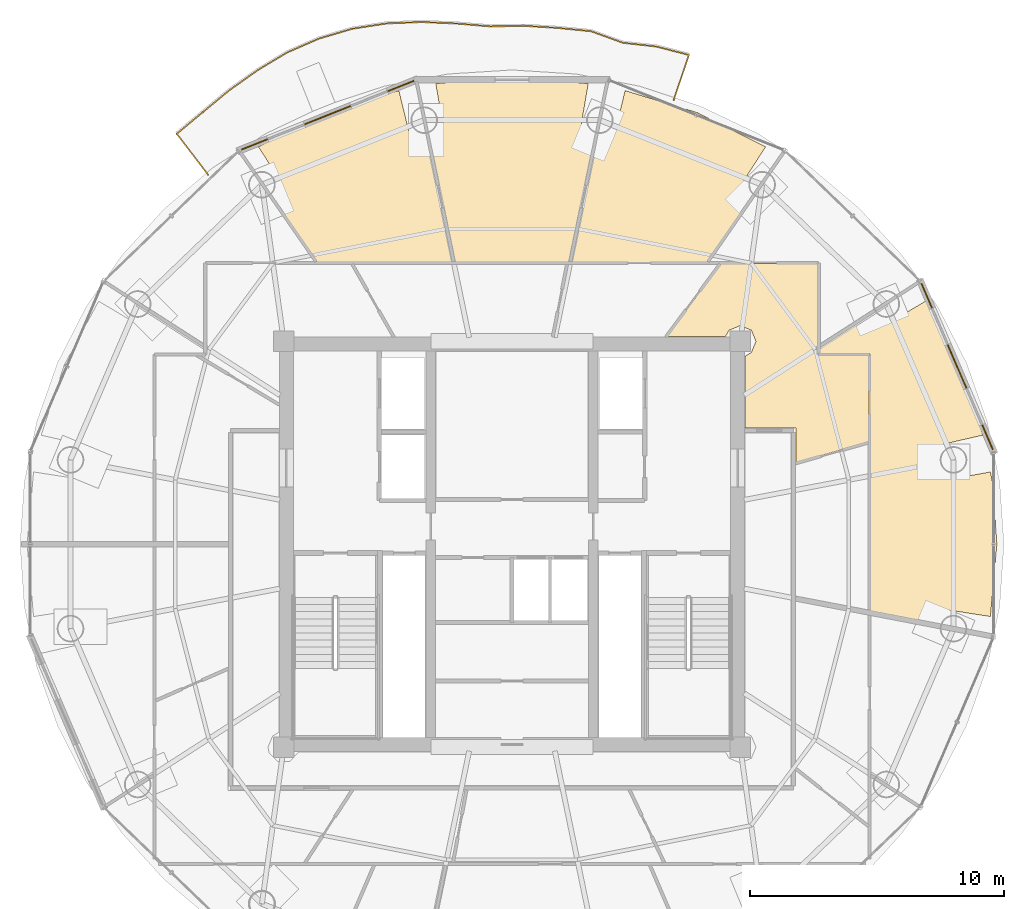
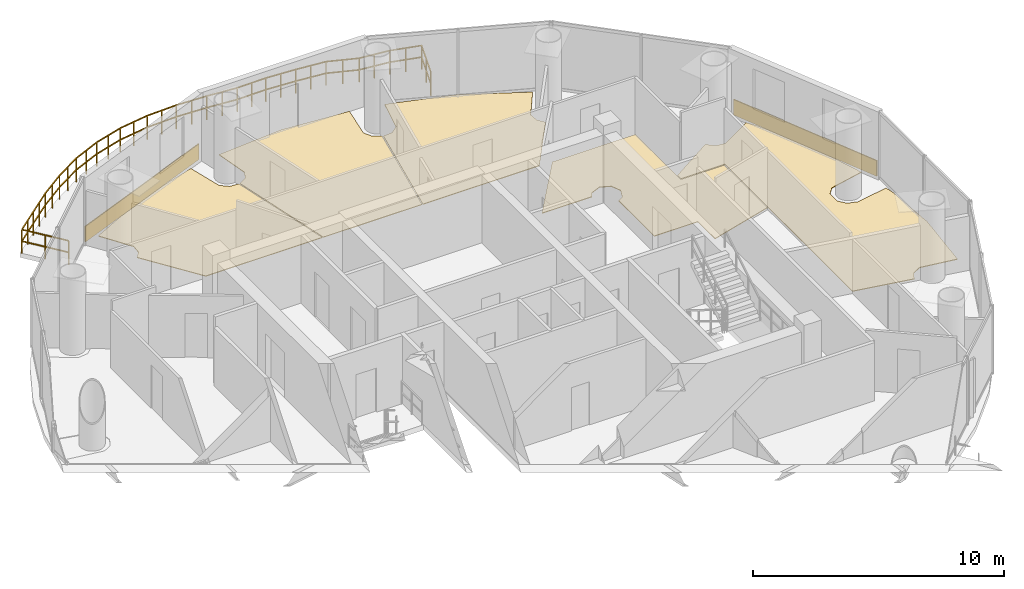
# One storey, part 23 of 23: 7 coverings, 1 railing.
"""IFC4 building model written with IfcOpenShell, lengths in metres."""

from ifc_helpers import new_model, si_unit, direction, frame, origin, origin_2d, place, context, subcontext, project, spatial, polyline, rectangle, outline, extrude, source, transform, mapped, material, layer, layer_set, type_object, element, save


model = new_model("IFC4")

# Units and contexts
model_context = context("Model", 3, precision=1e-05, world=origin(), true_north=direction((-0.2419218956, 0.970295726276)))
body_context = subcontext(model_context, "Body", "Model", "MODEL_VIEW")
ifc_project = project(units=[si_unit("LENGTHUNIT", "METRE"), si_unit("AREAUNIT", "SQUARE_METRE"), si_unit("VOLUMEUNIT", "CUBIC_METRE"), si_unit("PLANEANGLEUNIT", "RADIAN"), si_unit("MASSUNIT", "GRAM", prefix="KILO")], contexts=[model_context])

# Site, building, storey
site_placement = place(None, origin())
site = spatial("IfcSite", under=ifc_project, at=site_placement, CompositionType="ELEMENT")
building_placement = place(site_placement, origin())
building = spatial("IfcBuilding", under=site, at=building_placement, Name="Cobrevalo Terracotta Tower", CompositionType="ELEMENT")
storey_placement = place(building_placement, frame((0.0, 0.0, 296.949951171875)))
storey = spatial("IfcBuildingStorey", under=building, at=storey_placement, Name="L78", CompositionType="ELEMENT", Elevation=296.949951171875)

# Railing
ifc_material_1 = material(Name="Laminated structural glass and stainless steel", Category="steel")
railing_type = type_object("IfcRailingType", Name="Balcony lobe structural glass & terracotta-cap balustrade 1180 mm", PredefinedType="BALUSTRADE", material=ifc_material_1)
railing_placement = place(storey_placement, frame((44.37890625, 44.323974609375, 0.0)))
element("IfcRailing", 1, at=railing_placement, inside=storey, type_object=railing_type, Name="L78 spiralling balcony lobe balustrade 1", PredefinedType="BALUSTRADE", context=body_context, shape_type="SweptSolid", body=[
    extrude(rectangle(XDim=0.048095703125, YDim=0.048095703125, at=origin_2d()), frame((0.0, 0.0, 1.15576171875), z_axis=(0.320500509252, 0.947248343134, 0.0), x_axis=(-0.947248343134, 0.320500509252, 0.0)), (0.0, 0.0, 1.0), 1.866943359375),
    extrude(rectangle(XDim=0.048095703125, YDim=0.048095703125, at=origin_2d()), frame((0.0, 0.0, 0.58984375), z_axis=(0.320500509252, 0.947248343134, 0.0), x_axis=(-0.947248343134, 0.320500509252, 0.0)), (0.0, 0.0, 1.0), 1.866943359375),
    extrude(rectangle(XDim=0.048095703125, YDim=0.048095703125, at=origin_2d()), frame((0.598388671875, 1.7685546875, 1.15576171875), z_axis=(-0.968112979066, 0.250513991153, 0.0), x_axis=(-0.250513991153, -0.968112979066, 0.0)), (0.0, 0.0, 1.0), 1.323486328125),
    extrude(rectangle(XDim=0.048095703125, YDim=0.048095703125, at=origin_2d()), frame((0.598388671875, 1.7685546875, 0.58984375), z_axis=(-0.968112979066, 0.250513991153, 0.0), x_axis=(-0.250513991153, -0.968112979066, 0.0)), (0.0, 0.0, 1.0), 1.323486328125),
    extrude(rectangle(XDim=0.048095703125, YDim=0.048095703125, at=origin_2d()), frame((-0.682861328125, 2.10009765625, 1.15576171875), z_axis=(-0.993777759576, 0.111381167941, 0.0), x_axis=(-0.111381167941, -0.993777759576, 0.0)), (0.0, 0.0, 1.0), 1.326171875),
    extrude(rectangle(XDim=0.048095703125, YDim=0.048095703125, at=origin_2d()), frame((-0.682861328125, 2.10009765625, 0.58984375), z_axis=(-0.993777759576, 0.111381167941, 0.0), x_axis=(-0.111381167941, -0.993777759576, 0.0)), (0.0, 0.0, 1.0), 1.326171875),
    extrude(rectangle(XDim=0.048095703125, YDim=0.048095703125, at=origin_2d()), frame((-2.000732421875, 2.247802734375, 1.15576171875), z_axis=(-0.940265849956, 0.340441083605, 0.0), x_axis=(-0.340441083605, -0.940265849956, 0.0)), (0.0, 0.0, 1.0), 1.34033203125),
    extrude(rectangle(XDim=0.048095703125, YDim=0.048095703125, at=origin_2d()), frame((-2.000732421875, 2.247802734375, 0.58984375), z_axis=(-0.940265849956, 0.340441083605, 0.0), x_axis=(-0.340441083605, -0.940265849956, 0.0)), (0.0, 0.0, 1.0), 1.34033203125),
    extrude(rectangle(XDim=0.048095703125, YDim=0.048095703125, at=origin_2d()), frame((-3.260986328125, 2.7041015625, 1.15576171875), z_axis=(-0.995062681065, 0.099248479847, 0.0), x_axis=(-0.099248479847, -0.995062681065, 0.0)), (0.0, 0.0, 1.0), 1.325927734375),
    extrude(rectangle(XDim=0.048095703125, YDim=0.048095703125, at=origin_2d()), frame((-3.260986328125, 2.7041015625, 0.58984375), z_axis=(-0.995062681065, 0.099248479847, 0.0), x_axis=(-0.099248479847, -0.995062681065, 0.0)), (0.0, 0.0, 1.0), 1.325927734375),
    extrude(rectangle(XDim=0.048095703125, YDim=0.048095703125, at=origin_2d()), frame((-4.580322265625, 2.835693359375, 1.15576171875), z_axis=(-0.998068281125, 0.06212653389, 0.0), x_axis=(-0.06212653389, -0.998068281125, 0.0)), (0.0, 0.0, 1.0), 1.328369140625),
    extrude(rectangle(XDim=0.048095703125, YDim=0.048095703125, at=origin_2d()), frame((-4.580322265625, 2.835693359375, 0.58984375), z_axis=(-0.998068281125, 0.06212653389, 0.0), x_axis=(-0.06212653389, -0.998068281125, 0.0)), (0.0, 0.0, 1.0), 1.328369140625),
    extrude(rectangle(XDim=0.048095703125, YDim=0.048095703125, at=origin_2d()), frame((-5.906005859375, 2.918212890625, 1.15576171875), z_axis=(-0.99985019426, -0.017308640564, 0.0), x_axis=(0.017308640564, -0.99985019426, 0.0)), (0.0, 0.0, 1.0), 1.325927734375),
    extrude(rectangle(XDim=0.048095703125, YDim=0.048095703125, at=origin_2d()), frame((-5.906005859375, 2.918212890625, 0.58984375), z_axis=(-0.99985019426, -0.017308640564, 0.0), x_axis=(0.017308640564, -0.99985019426, 0.0)), (0.0, 0.0, 1.0), 1.325927734375),
    extrude(rectangle(XDim=0.048095703125, YDim=0.048095703125, at=origin_2d()), frame((-7.231689453125, 2.895263671875, 1.15576171875), z_axis=(-0.996398332235, 0.084796011217, 0.0), x_axis=(-0.084796011217, -0.996398332235, 0.0)), (0.0, 0.0, 1.0), 1.350341796875),
    extrude(rectangle(XDim=0.048095703125, YDim=0.048095703125, at=origin_2d()), frame((-7.231689453125, 2.895263671875, 0.58984375), z_axis=(-0.996398332235, 0.084796011217, 0.0), x_axis=(-0.084796011217, -0.996398332235, 0.0)), (0.0, 0.0, 1.0), 1.350341796875),
    extrude(rectangle(XDim=0.048095703125, YDim=0.048095703125, at=origin_2d()), frame((-8.5771484375, 3.009765625, 1.15576171875), z_axis=(-0.999077969769, 0.04293262538, 0.0), x_axis=(-0.04293262538, -0.999077969769, 0.0)), (0.0, 0.0, 1.0), 1.36474609375),
    extrude(rectangle(XDim=0.048095703125, YDim=0.048095703125, at=origin_2d()), frame((-8.5771484375, 3.009765625, 0.58984375), z_axis=(-0.999077969769, 0.04293262538, 0.0), x_axis=(-0.04293262538, -0.999077969769, 0.0)), (0.0, 0.0, 1.0), 1.36474609375),
    extrude(rectangle(XDim=0.048095703125, YDim=0.048095703125, at=origin_2d()), frame((-9.940673828125, 3.068359375, 1.15576171875), z_axis=(-0.999202658585, -0.039925519123, 0.0), x_axis=(0.039925519123, -0.999202658585, 0.0)), (0.0, 0.0, 1.0), 1.375732421875),
    extrude(rectangle(XDim=0.048095703125, YDim=0.048095703125, at=origin_2d()), frame((-9.940673828125, 3.068359375, 0.58984375), z_axis=(-0.999202658585, -0.039925519123, 0.0), x_axis=(0.039925519123, -0.999202658585, 0.0)), (0.0, 0.0, 1.0), 1.375732421875),
    extrude(rectangle(XDim=0.048095703125, YDim=0.048095703125, at=origin_2d()), frame((-11.3154296875, 3.013427734375, 1.15576171875), z_axis=(-0.988163219932, -0.153406162763, 0.0), x_axis=(0.153406162763, -0.988163219932, 0.0)), (0.0, 0.0, 1.0), 1.37353515625),
    extrude(rectangle(XDim=0.048095703125, YDim=0.048095703125, at=origin_2d()), frame((-11.3154296875, 3.013427734375, 0.58984375), z_axis=(-0.988163219932, -0.153406162763, 0.0), x_axis=(0.153406162763, -0.988163219932, 0.0)), (0.0, 0.0, 1.0), 1.37353515625),
    extrude(rectangle(XDim=0.048095703125, YDim=0.048095703125, at=origin_2d()), frame((-12.672607421875, 2.802734375, 1.15576171875), z_axis=(-0.958996855292, -0.283416710059, 0.0), x_axis=(0.283416710059, -0.958996855292, 0.0)), (0.0, 0.0, 1.0), 1.3740234375),
    extrude(rectangle(XDim=0.048095703125, YDim=0.048095703125, at=origin_2d()), frame((-12.672607421875, 2.802734375, 0.58984375), z_axis=(-0.958996855292, -0.283416710059, 0.0), x_axis=(0.283416710059, -0.958996855292, 0.0)), (0.0, 0.0, 1.0), 1.3740234375),
    extrude(rectangle(XDim=0.048095703125, YDim=0.048095703125, at=origin_2d()), frame((-13.990234375, 2.413330078125, 1.15576171875), z_axis=(-0.916900010558, -0.399116988661, 0.0), x_axis=(0.399116988661, -0.916900010558, 0.0)), (0.0, 0.0, 1.0), 1.3701171875),
    extrude(rectangle(XDim=0.048095703125, YDim=0.048095703125, at=origin_2d()), frame((-13.990234375, 2.413330078125, 0.58984375), z_axis=(-0.916900010558, -0.399116988661, 0.0), x_axis=(0.399116988661, -0.916900010558, 0.0)), (0.0, 0.0, 1.0), 1.3701171875),
    extrude(rectangle(XDim=0.048095703125, YDim=0.048095703125, at=origin_2d()), frame((-15.24658203125, 1.866455078125, 1.15576171875), z_axis=(-0.856895522787, -0.515490119234, 0.0), x_axis=(0.515490119234, -0.856895522787, 0.0)), (0.0, 0.0, 1.0), 1.37158203125),
    extrude(rectangle(XDim=0.048095703125, YDim=0.048095703125, at=origin_2d()), frame((-15.24658203125, 1.866455078125, 0.58984375), z_axis=(-0.856895522787, -0.515490119234, 0.0), x_axis=(0.515490119234, -0.856895522787, 0.0)), (0.0, 0.0, 1.0), 1.37158203125),
    extrude(rectangle(XDim=0.048095703125, YDim=0.048095703125, at=origin_2d()), frame((-16.421875, 1.159423828125, 1.15576171875), z_axis=(-0.815378750342, -0.578927882806, 0.0), x_axis=(0.578927882806, -0.815378750342, 0.0)), (0.0, 0.0, 1.0), 1.36083984375),
    extrude(rectangle(XDim=0.048095703125, YDim=0.048095703125, at=origin_2d()), frame((-16.421875, 1.159423828125, 0.58984375), z_axis=(-0.815378750342, -0.578927882806, 0.0), x_axis=(0.578927882806, -0.815378750342, 0.0)), (0.0, 0.0, 1.0), 1.36083984375),
    extrude(rectangle(XDim=0.048095703125, YDim=0.048095703125, at=origin_2d()), frame((-17.531494140625, 0.37158203125, 1.15576171875), z_axis=(-0.771011872794, -0.636820769143, 0.0), x_axis=(0.636820769143, -0.771011872794, 0.0)), (0.0, 0.0, 1.0), 1.351806640625),
    extrude(rectangle(XDim=0.048095703125, YDim=0.048095703125, at=origin_2d()), frame((-17.531494140625, 0.37158203125, 0.58984375), z_axis=(-0.771011872794, -0.636820769143, 0.0), x_axis=(0.636820769143, -0.771011872794, 0.0)), (0.0, 0.0, 1.0), 1.351806640625),
    extrude(rectangle(XDim=0.048095703125, YDim=0.048095703125, at=origin_2d()), frame((-18.57373046875, -0.4892578125, 1.15576171875), z_axis=(-0.768671775089, -0.639643417993, 0.0), x_axis=(0.639643417993, -0.768671775089, 0.0)), (0.0, 0.0, 1.0), 1.33203125),
    extrude(rectangle(XDim=0.048095703125, YDim=0.048095703125, at=origin_2d()), frame((-18.57373046875, -0.4892578125, 0.58984375), z_axis=(-0.768671775089, -0.639643417993, 0.0), x_axis=(0.639643417993, -0.768671775089, 0.0)), (0.0, 0.0, 1.0), 1.33203125),
    extrude(rectangle(XDim=0.048095703125, YDim=0.048095703125, at=origin_2d()), frame((-19.59765625, -1.34130859375, 1.15576171875), z_axis=(0.607418867432, -0.794381721521, 0.0), x_axis=(0.794381721521, 0.607418867432, 0.0)), (0.0, 0.0, 1.0), 2.030517578125),
    extrude(rectangle(XDim=0.048095703125, YDim=0.048095703125, at=origin_2d()), frame((-19.59765625, -1.34130859375, 0.58984375), z_axis=(0.607418867432, -0.794381721521, 0.0), x_axis=(0.794381721521, 0.607418867432, 0.0)), (0.0, 0.0, 1.0), 2.030517578125),
    extrude(rectangle(XDim=0.0419921875, YDim=0.0419921875, at=origin_2d()), origin(), (0.0, 0.0, 1.0), 1.1318359375),
    extrude(rectangle(XDim=0.0419921875, YDim=0.0419921875, at=origin_2d()), frame((0.29931640625, 0.88427734375, 0.0)), (0.0, 0.0, 1.0), 1.1318359375),
    extrude(rectangle(XDim=0.0419921875, YDim=0.0419921875, at=origin_2d()), frame((0.598388671875, 1.7685546875, 0.0)), (0.0, 0.0, 1.0), 1.1318359375),
    extrude(rectangle(XDim=0.0419921875, YDim=0.0419921875, at=origin_2d()), frame((-0.042236328125, 1.934326171875, 0.0)), (0.0, 0.0, 1.0), 1.1318359375),
    extrude(rectangle(XDim=0.0419921875, YDim=0.0419921875, at=origin_2d()), frame((-0.682861328125, 2.10009765625, 0.0)), (0.0, 0.0, 1.0), 1.1318359375),
    extrude(rectangle(XDim=0.0419921875, YDim=0.0419921875, at=origin_2d()), frame((-1.341796875, 2.173828125, 0.0)), (0.0, 0.0, 1.0), 1.1318359375),
    extrude(rectangle(XDim=0.0419921875, YDim=0.0419921875, at=origin_2d()), frame((-2.000732421875, 2.247802734375, 0.0)), (0.0, 0.0, 1.0), 1.1318359375),
    extrude(rectangle(XDim=0.0419921875, YDim=0.0419921875, at=origin_2d()), frame((-2.630859375, 2.47607421875, 0.0)), (0.0, 0.0, 1.0), 1.1318359375),
    extrude(rectangle(XDim=0.0419921875, YDim=0.0419921875, at=origin_2d()), frame((-3.260986328125, 2.7041015625, 0.0)), (0.0, 0.0, 1.0), 1.1318359375),
    extrude(rectangle(XDim=0.0419921875, YDim=0.0419921875, at=origin_2d()), frame((-3.920654296875, 2.77001953125, 0.0)), (0.0, 0.0, 1.0), 1.1318359375),
    extrude(rectangle(XDim=0.0419921875, YDim=0.0419921875, at=origin_2d()), frame((-4.580322265625, 2.835693359375, 0.0)), (0.0, 0.0, 1.0), 1.1318359375),
    extrude(rectangle(XDim=0.0419921875, YDim=0.0419921875, at=origin_2d()), frame((-5.2431640625, 2.876953125, 0.0)), (0.0, 0.0, 1.0), 1.1318359375),
    extrude(rectangle(XDim=0.0419921875, YDim=0.0419921875, at=origin_2d()), frame((-5.906005859375, 2.918212890625, 0.0)), (0.0, 0.0, 1.0), 1.1318359375),
    extrude(rectangle(XDim=0.0419921875, YDim=0.0419921875, at=origin_2d()), frame((-6.56884765625, 2.90673828125, 0.0)), (0.0, 0.0, 1.0), 1.1318359375),
    extrude(rectangle(XDim=0.0419921875, YDim=0.0419921875, at=origin_2d()), frame((-7.231689453125, 2.895263671875, 0.0)), (0.0, 0.0, 1.0), 1.1318359375),
    extrude(rectangle(XDim=0.0419921875, YDim=0.0419921875, at=origin_2d()), frame((-7.904296875, 2.95263671875, 0.0)), (0.0, 0.0, 1.0), 1.1318359375),
    extrude(rectangle(XDim=0.0419921875, YDim=0.0419921875, at=origin_2d()), frame((-8.5771484375, 3.009765625, 0.0)), (0.0, 0.0, 1.0), 1.1318359375),
    extrude(rectangle(XDim=0.0419921875, YDim=0.0419921875, at=origin_2d()), frame((-9.2587890625, 3.0390625, 0.0)), (0.0, 0.0, 1.0), 1.1318359375),
    extrude(rectangle(XDim=0.0419921875, YDim=0.0419921875, at=origin_2d()), frame((-9.940673828125, 3.068359375, 0.0)), (0.0, 0.0, 1.0), 1.1318359375),
    extrude(rectangle(XDim=0.0419921875, YDim=0.0419921875, at=origin_2d()), frame((-10.6279296875, 3.041015625, 0.0)), (0.0, 0.0, 1.0), 1.1318359375),
    extrude(rectangle(XDim=0.0419921875, YDim=0.0419921875, at=origin_2d()), frame((-11.3154296875, 3.013427734375, 0.0)), (0.0, 0.0, 1.0), 1.1318359375),
    extrude(rectangle(XDim=0.0419921875, YDim=0.0419921875, at=origin_2d()), frame((-11.994140625, 2.908203125, 0.0)), (0.0, 0.0, 1.0), 1.1318359375),
    extrude(rectangle(XDim=0.0419921875, YDim=0.0419921875, at=origin_2d()), frame((-12.672607421875, 2.802734375, 0.0)), (0.0, 0.0, 1.0), 1.1318359375),
    extrude(rectangle(XDim=0.0419921875, YDim=0.0419921875, at=origin_2d()), frame((-13.33154296875, 2.60791015625, 0.0)), (0.0, 0.0, 1.0), 1.1318359375),
    extrude(rectangle(XDim=0.0419921875, YDim=0.0419921875, at=origin_2d()), frame((-13.990234375, 2.413330078125, 0.0)), (0.0, 0.0, 1.0), 1.1318359375),
    extrude(rectangle(XDim=0.0419921875, YDim=0.0419921875, at=origin_2d()), frame((-14.618408203125, 2.139892578125, 0.0)), (0.0, 0.0, 1.0), 1.1318359375),
    extrude(rectangle(XDim=0.0419921875, YDim=0.0419921875, at=origin_2d()), frame((-15.24658203125, 1.866455078125, 0.0)), (0.0, 0.0, 1.0), 1.1318359375),
    extrude(rectangle(XDim=0.0419921875, YDim=0.0419921875, at=origin_2d()), frame((-15.834228515625, 1.512939453125, 0.0)), (0.0, 0.0, 1.0), 1.1318359375),
    extrude(rectangle(XDim=0.0419921875, YDim=0.0419921875, at=origin_2d()), frame((-16.421875, 1.159423828125, 0.0)), (0.0, 0.0, 1.0), 1.1318359375),
    extrude(rectangle(XDim=0.0419921875, YDim=0.0419921875, at=origin_2d()), frame((-16.9765625, 0.765625, 0.0)), (0.0, 0.0, 1.0), 1.1318359375),
    extrude(rectangle(XDim=0.0419921875, YDim=0.0419921875, at=origin_2d()), frame((-17.531494140625, 0.37158203125, 0.0)), (0.0, 0.0, 1.0), 1.1318359375),
    extrude(rectangle(XDim=0.0419921875, YDim=0.0419921875, at=origin_2d()), frame((-18.052734375, -0.058837890625, 0.0)), (0.0, 0.0, 1.0), 1.1318359375),
    extrude(rectangle(XDim=0.0419921875, YDim=0.0419921875, at=origin_2d()), frame((-18.57373046875, -0.4892578125, 0.0)), (0.0, 0.0, 1.0), 1.1318359375),
    extrude(rectangle(XDim=0.0419921875, YDim=0.0419921875, at=origin_2d()), frame((-19.085693359375, -0.915283203125, 0.0)), (0.0, 0.0, 1.0), 1.1318359375),
    extrude(rectangle(XDim=0.0419921875, YDim=0.0419921875, at=origin_2d()), frame((-19.59765625, -1.34130859375, 0.0)), (0.0, 0.0, 1.0), 1.1318359375),
    extrude(rectangle(XDim=0.0419921875, YDim=0.0419921875, at=origin_2d()), frame((-18.98095703125, -2.14794921875, 0.0)), (0.0, 0.0, 1.0), 1.1318359375),
    extrude(rectangle(XDim=0.0419921875, YDim=0.0419921875, at=origin_2d()), frame((-18.3642578125, -2.954345703125, 0.0)), (0.0, 0.0, 1.0), 1.1318359375),
])

# Coverings
ifc_material_2 = material(Name="Engineered Brazilian hardwood flooring", Category="wood")
ifc_layer_1 = layer(ifc_material_2, 0.028076171875)
ifc_layer_set_1 = layer_set([ifc_layer_1], Name="Engineered Brazilian hardwood flooring")
covering_type_1 = type_object("IfcCoveringType", Name="Engineered Hardwood Suite Flooring 28", PredefinedType="FLOORING", material=ifc_layer_set_1)
covering_1_placement = place(storey_placement, origin())
element("IfcCovering", 2, at=covering_1_placement, inside=storey, type_object=covering_type_1, Name="Flat L78A Living and Dining Room floor finish", PredefinedType="FLOORING", context=body_context, shape_type="SweptSolid", body=[
    extrude(outline(polyline([(50.114990234375, 34.300048828125), (50.114990234375, 34.5791015625), (52.135498046875, 35.88037109375), (52.462890625, 35.593994140625), (52.8896484375, 35.5439453125), (54.300048828125, 36.382568359375), (54.55859375, 36.009765625), (55.66455078125, 33.848876953125), (56.56494140625, 31.1005859375), (55.00244140625, 30.74462890625), (54.727294921875, 30.41455078125), (54.72314453125, 29.84814453125), (54.9931640625, 29.51416015625), (55.4033203125, 29.38623046875), (56.8642578125, 29.65087890625), (56.956298828125, 29.2041015625), (57.119873046875, 26.800048828125), (56.8642578125, 23.948974609375), (55.259033203125, 24.198486328125), (54.881591796875, 23.9931640625), (54.6845703125, 23.621337890625), (52.125, 24.112060546875), (52.125, 34.300048828125), (50.114990234375, 34.300048828125)])), origin(), (0.0, 0.0, 1.0), 0.030029296875),
])
covering_2_placement = place(storey_placement, origin())
element("IfcCovering", 3, at=covering_2_placement, inside=storey, type_object=covering_type_1, Name="Flat L78A Principal Guest Bedroom floor finish", PredefinedType="FLOORING", context=body_context, shape_type="SweptSolid", body=[
    extrude(outline(polyline([(41.321533203125, 42.796630859375), (41.74072265625, 42.83642578125), (42.074951171875, 43.1064453125), (42.45947265625, 44.68603515625), (45.317138671875, 43.817626953125), (47.99853515625, 42.4697265625), (47.138427734375, 41.134521484375), (47.17236328125, 40.706298828125), (47.40283203125, 40.399658203125), (45.680419921875, 37.9150390625), (40.314208984375, 37.9150390625), (41.321533203125, 42.796630859375)])), origin(), (0.0, 0.0, 1.0), 0.030029296875),
])
covering_3_placement = place(storey_placement, origin())
element("IfcCovering", 4, at=covering_3_placement, inside=storey, type_object=covering_type_1, Name="Flat L78A Principal Guest Bedroom floor finish", PredefinedType="FLOORING", context=body_context, shape_type="SweptSolid", body=[
    extrude(outline(polyline([(34.71728515625, 42.80712890625), (35.064453125, 43.003173828125), (35.26416015625, 43.3837890625), (34.994140625, 44.964599609375), (38.0, 45.219970703125), (41.005859375, 44.964599609375), (40.73583984375, 43.3837890625), (40.935546875, 43.003173828125), (41.28271484375, 42.80712890625), (40.273193359375, 37.9150390625), (35.726806640625, 37.9150390625), (34.71728515625, 42.80712890625)])), origin(), (0.0, 0.0, 1.0), 0.030029296875),
])
covering_4_placement = place(storey_placement, origin())
element("IfcCovering", 5, at=covering_4_placement, inside=storey, type_object=covering_type_1, Name="Flat L78A Principal Guest Bedroom floor finish", PredefinedType="FLOORING", context=body_context, shape_type="SweptSolid", body=[
    extrude(outline(polyline([(28.59716796875, 40.399658203125), (28.82763671875, 40.706298828125), (28.861572265625, 41.134521484375), (28.00146484375, 42.4697265625), (30.682861328125, 43.817626953125), (33.54052734375, 44.68603515625), (33.925048828125, 43.1064453125), (34.25927734375, 42.83642578125), (34.678466796875, 42.796630859375), (35.685791015625, 37.9150390625), (30.319580078125, 37.9150390625), (28.59716796875, 40.399658203125)])), origin(), (0.0, 0.0, 1.0), 0.030029296875),
])
ifc_material_3 = material(Name="Honed terracotta and granite tile", Category="masonry")
ifc_layer_2 = layer(ifc_material_3, 0.034912109375)
ifc_layer_set_2 = layer_set([ifc_layer_2], Name="Honed terracotta and granite tile")
covering_type_2 = type_object("IfcCoveringType", Name="Honed Terracotta & Granite Interior Flooring 35", PredefinedType="FLOORING", material=ifc_layer_set_2)
covering_5_placement = place(storey_placement, origin())
element("IfcCovering", 6, at=covering_5_placement, inside=storey, type_object=covering_type_2, Name="Flat L78A Apartment Entrance Hall floor finish", PredefinedType="FLOORING", context=body_context, shape_type="SweptSolid", body=[
    extrude(outline(polyline([(47.195068359375, 31.3798828125), (47.195068359375, 34.218505859375), (47.438720703125, 34.361328125), (47.620361328125, 34.800048828125), (47.438720703125, 35.23876953125), (47.0, 35.42041015625), (46.561279296875, 35.23876953125), (46.41845703125, 34.9951171875), (44.10888671875, 34.9951171875), (46.246826171875, 37.875), (50.074951171875, 37.875), (50.074951171875, 34.260009765625), (52.0849609375, 34.260009765625), (52.0849609375, 30.837646484375), (49.205078125, 30.016357421875), (49.205078125, 31.3798828125), (47.195068359375, 31.3798828125)])), origin(), (0.0, 0.0, 1.0), 0.030029296875),
])
ifc_material_4 = material(Name="Glazed terracotta facade cladding tile", Category="masonry")
ifc_layer_3 = layer(ifc_material_4, 0.044921875)
ifc_layer_set_3 = layer_set([ifc_layer_3], Name="Glazed terracotta facade cladding tile")
covering_type_3 = type_object("IfcCoveringType", Name="Architectural terracotta rainscreen spandrel cladding 45 mm", PredefinedType="CLADDING", material=ifc_layer_set_3)
shared_shape_1 = source(origin(), body_context, "Body", "SweptSolid", [
    extrude(rectangle(XDim=7.125244140625, YDim=0.044921875, at=origin_2d()), origin(), (0.0, 0.0, 1.0), 0.760009765625),
])
covering_6_placement = place(storey_placement, frame((55.5517578125, 33.807373046875, 0.0400390625), z_axis=(0.0, 0.0, 1.0), x_axis=(-0.394828845134, 0.918754691444, 0.0)))
element("IfcCovering", 7, at=covering_6_placement, inside=storey, type_object=covering_type_3, Name="L78 terracotta spandrel cladding S01", PredefinedType="CLADDING", context=body_context, shape_type="MappedRepresentation", body=[
    mapped(shared_shape_1, transform((0.0, 0.0, 0.0), scale=1.0)),
])
shared_shape_2 = source(origin(), body_context, "Body", "SweptSolid", [
    extrude(rectangle(XDim=7.318359375, YDim=0.044921875, at=origin_2d()), origin(), (0.0, 0.0, 1.0), 0.760009765625),
])
covering_7_placement = place(storey_placement, frame((30.729736328125, 43.71728515625, 0.0400390625), z_axis=(0.0, 0.0, 1.0), x_axis=(-0.92871833374, -0.370785998353, 0.0)))
element("IfcCovering", 8, at=covering_7_placement, inside=storey, type_object=covering_type_3, Name="L78 terracotta spandrel cladding S05", PredefinedType="CLADDING", context=body_context, shape_type="MappedRepresentation", body=[
    mapped(shared_shape_2, transform((0.0, 0.0, 0.0), scale=1.0)),
])

save(model, "model.ifc")
